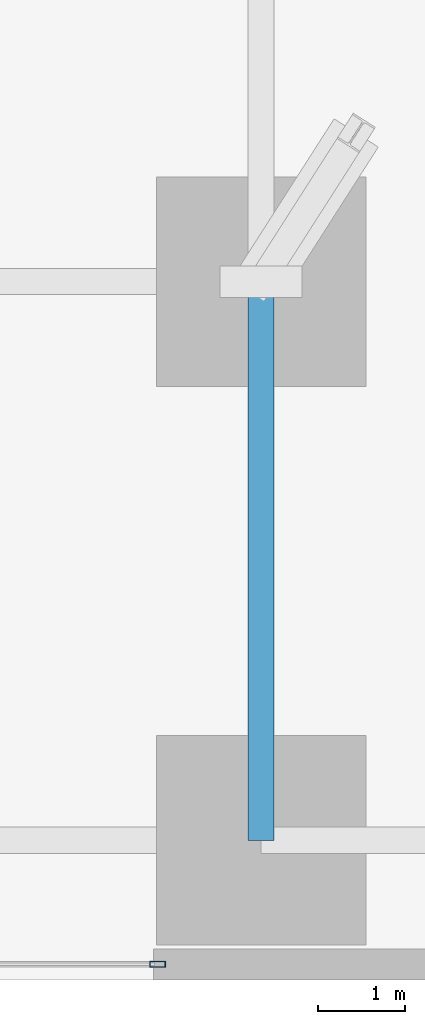
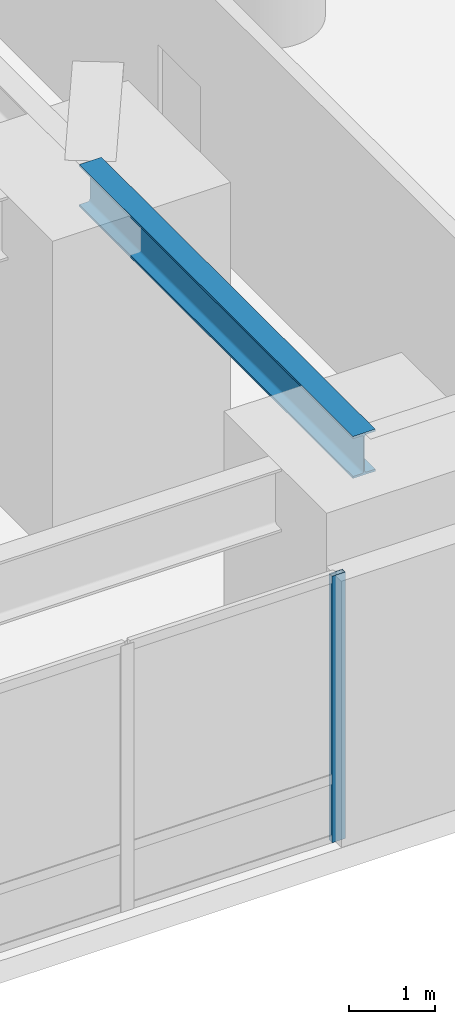
# One storey, part 8 of 17: 1 beam, 1 member, 1 element without a shape of its own.
"""IFC4 building model written with IfcOpenShell, lengths in metres."""

from ifc_helpers import new_model, si_unit, direction, frame, origin, origin_2d, place, context, subcontext, project, spatial, hollow_rectangle, i_section, extrude, material, layer, layer_set, material_profile, profile_set, type_object, element, aggregate, save


model = new_model("IFC4")

# Units and contexts
model_context = context("Model", 3, precision=1e-05, world=origin(), true_north=direction((0.0, 1.0)))
body_context = subcontext(model_context, "Body", "Model", "MODEL_VIEW")
ifc_project = project(units=[si_unit("LENGTHUNIT", "METRE"), si_unit("AREAUNIT", "SQUARE_METRE"), si_unit("VOLUMEUNIT", "CUBIC_METRE"), si_unit("PLANEANGLEUNIT", "RADIAN"), si_unit("MASSUNIT", "GRAM", prefix="KILO"), si_unit("THERMODYNAMICTEMPERATUREUNIT", "KELVIN"), si_unit("POWERUNIT", "WATT")], contexts=[model_context])

# Site, building, storey
site_placement = place(None, origin())
site = spatial("IfcSite", under=ifc_project, at=site_placement, CompositionType="ELEMENT")
building_placement = place(site_placement, origin())
building = spatial("IfcBuilding", under=site, at=building_placement, Name="Ocrelia Relay Tower", CompositionType="ELEMENT")
storey_placement = place(building_placement, frame((0.0, 0.0, 25.199951171875)))
storey = spatial("IfcBuildingStorey", under=building, at=storey_placement, Name="L05", CompositionType="ELEMENT", Elevation=25.199951171875)

# Beam
ifc_material_1 = material(Name="Steel S355", Category="steel")
ifc_material_profile_1 = material_profile(ifc_material_1, i_section(OverallWidth=0.300048828125, OverallDepth=0.60009765625, WebThickness=0.015380859375, FlangeThickness=0.030029296875, FilletRadius=0.027099609375, at=origin_2d()), Name="HEB 600")
ifc_profile_set_1 = profile_set([ifc_material_profile_1], Name="Steel S355")
beam_type = type_object("IfcBeamType", Name="BM-HEB600", PredefinedType="BEAM", material=ifc_profile_set_1)
beam_placement = place(storey_placement, frame((43.800048828125, 1.60009765625, 4.219970703125), z_axis=(0.0, 1.0, 0.0), x_axis=(-1.0, 0.0, 0.0)))
element("IfcBeam", 1, at=beam_placement, inside=storey, type_object=beam_type, Name="L05 Pier Line Tie Girder AE-1", PredefinedType="BEAM", context=body_context, shape_type="SweptSolid", body=[
    extrude(i_section(OverallWidth=0.300048828125, OverallDepth=0.60009765625, WebThickness=0.015380859375, FlangeThickness=0.030029296875, FilletRadius=0.027099609375, at=origin_2d()), origin(), (0.0, 0.0, 1.0), 6.39990234375),
])

# Curtain wall, member
ifc_material_2 = material(Name="Aluminium and solar-control low-E glass", Category="aluminium")
ifc_layer = layer(ifc_material_2, 0.179931640625, Name="Aluminium and solar-control low-E glass")
ifc_layer_set = layer_set([ifc_layer], Name="Aluminium and solar-control low-E glass")
curtain_wall_type = type_object("IfcCurtainWallType", Name="CW-SYS-POD-GALL", PredefinedType="NOTDEFINED", material=ifc_layer_set)
curtain_wall_placement = place(storey_placement, origin())
curtain_wall = element("IfcCurtainWall", 2, at=curtain_wall_placement, inside=storey, type_object=curtain_wall_type, Name="L05 South Over-Arch Curtain Wall East", PredefinedType="NOTDEFINED")
ifc_material_3 = material(Name="Anodised bronze aluminium", Category="aluminium")
ifc_material_profile_2 = material_profile(ifc_material_3, hollow_rectangle(XDim=0.070068359375, YDim=0.179931640625, WallThickness=0.006103515625, at=origin_2d()), Name="CW-MUL-180x70")
ifc_profile_set_2 = profile_set([ifc_material_profile_2], Name="Anodised bronze aluminium")
member_type = type_object("IfcMemberType", Name="CW-SYS-POD-GALL-MUL", PredefinedType="MULLION", material=ifc_profile_set_2)
member_placement = place(storey_placement, frame((42.614990234375, 0.179931640625, 0.0), z_axis=(0.0, 0.0, 1.0), x_axis=(0.0, 1.0, 0.0)))
member = element("IfcMember", 3, at=member_placement, type_object=member_type, Name="CW-PG mullion 4", PredefinedType="MULLION", context=body_context, shape_type="SweptSolid", body=[
    extrude(hollow_rectangle(XDim=0.070068359375, YDim=0.179931640625, WallThickness=0.006103515625, at=origin_2d()), origin(), (0.0, 0.0, 1.0), 3.800048828125),
])
aggregate(curtain_wall, [member])

save(model, "model.ifc")
